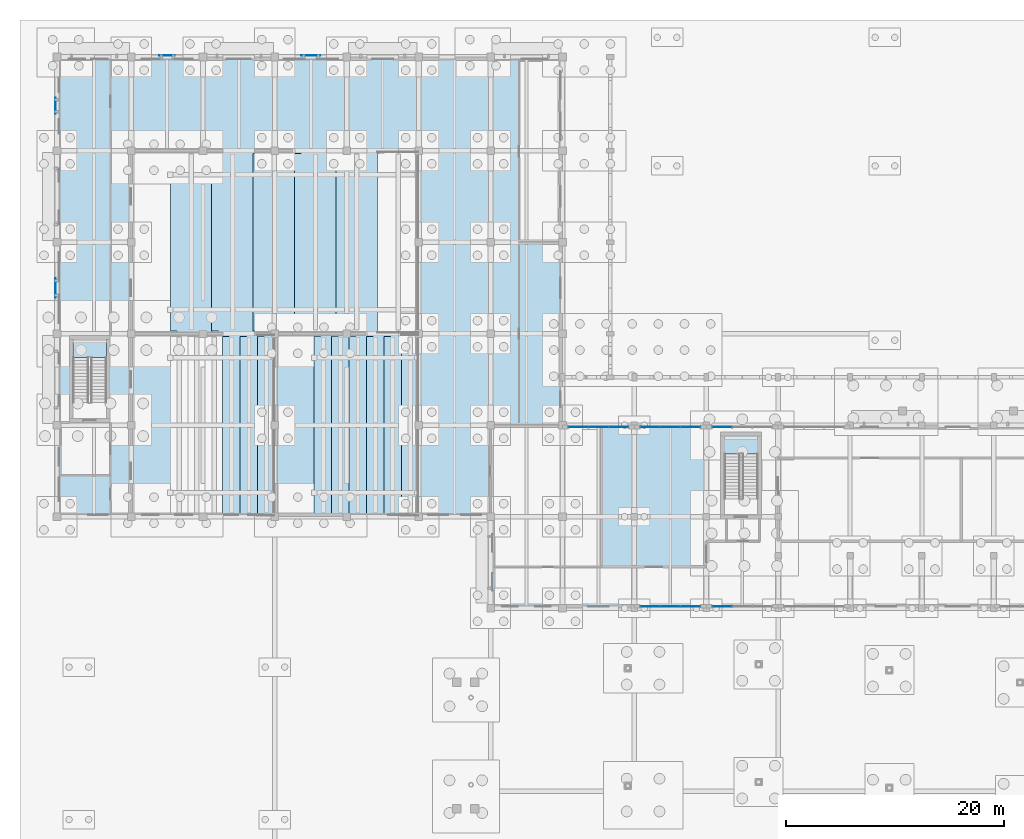
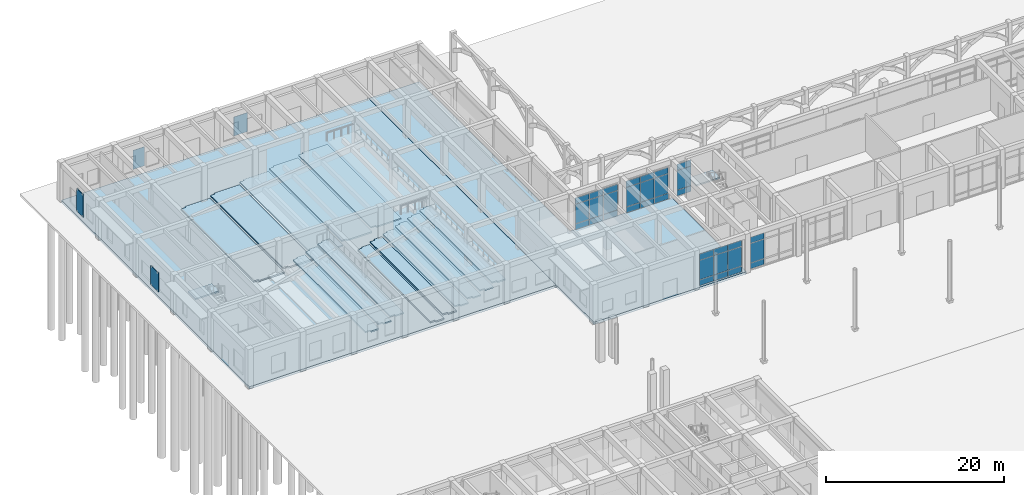
# One storey, part 43 of 82: 37 plates, 18 slabs, 7 elements without a shape of their own.
"""IFC4 building model written with IfcOpenShell, lengths in metres."""

from ifc_helpers import new_model, si_unit, direction, frame, origin, origin_2d, place, context, subcontext, project, spatial, polyline, rectangle, outline, extrude, material, layer, layer_set, type_object, element, aggregate, save


model = new_model("IFC4")

# Units and contexts
model_context = context("Model", 3, precision=1e-05, world=origin(), true_north=direction((0.0, 1.0)))
body_context = subcontext(model_context, "Body", "Model", "MODEL_VIEW")
ifc_project = project(units=[si_unit("LENGTHUNIT", "METRE"), si_unit("AREAUNIT", "SQUARE_METRE"), si_unit("VOLUMEUNIT", "CUBIC_METRE"), si_unit("PLANEANGLEUNIT", "RADIAN"), si_unit("MASSUNIT", "GRAM", prefix="KILO")], contexts=[model_context])

# Site, building, storey
site_placement = place(None, origin())
site = spatial("IfcSite", under=ifc_project, at=site_placement, CompositionType="ELEMENT")
building_placement = place(site_placement, origin())
building = spatial("IfcBuilding", under=site, at=building_placement, Name="Kolvaren Faculty of Natural Sciences", CompositionType="ELEMENT")
storey_placement = place(building_placement, origin())
storey = spatial("IfcBuildingStorey", under=building, at=storey_placement, Name="L00", CompositionType="ELEMENT", Elevation=0.0)

# Curtain wall, plate
ifc_material_1 = material(Name="Thermally broken anodised aluminium framing", Category="aluminium")
ifc_layer_1 = layer(ifc_material_1, 0.179931640625)
ifc_layer_set_1 = layer_set([ifc_layer_1], Name="Thermally broken anodised aluminium framing")
curtain_wall_type_1 = type_object("IfcCurtainWallType", Name="AtriumCurtainWall_CW01", PredefinedType="NOTDEFINED", material=ifc_layer_set_1)
curtain_wall_1_placement = place(storey_placement, origin())
curtain_wall_1 = element("IfcCurtainWall", 1, at=curtain_wall_1_placement, inside=storey, type_object=curtain_wall_type_1, Name="L00 unitised curtain wall CW-01 (CW-L00-005)", PredefinedType="NOTDEFINED")
ifc_material_2 = material(Name="Double low-E solar control insulated glazing", Category="glass")
ifc_layer_2 = layer(ifc_material_2, 0.035888671875)
ifc_layer_set_2 = layer_set([ifc_layer_2], Name="Double low-E solar control insulated glazing")
plate_type_1 = type_object("IfcPlateType", Name="EnvelopePlate_CWPGL1", PredefinedType="CURTAIN_PANEL", material=ifc_layer_set_2)
plate_1_placement = place(storey_placement, frame((61.066650390625, 67.570068359375, 0.919921875), z_axis=(0.0, 0.0, 1.0), x_axis=(-1.0, 0.0, 0.0)))
plate_1 = element("IfcPlate", 2, at=plate_1_placement, type_object=plate_type_1, Name="CW-L00-005 panel 3 V1", PredefinedType="CURTAIN_PANEL", context=body_context, shape_type="SweptSolid", body=[
    extrude(rectangle(XDim=1.783203125, YDim=0.035888671875, at=origin_2d()), origin(), (0.0, 0.0, 1.0), 2.64501953125),
])

# Curtain wall, plates
ifc_layer_3 = layer(ifc_material_1, 0.179931640625)
ifc_layer_set_3 = layer_set([ifc_layer_3], Name="Thermally broken anodised aluminium framing")
curtain_wall_type_2 = type_object("IfcCurtainWallType", Name="CommonsCurtainWall_CW02", PredefinedType="NOTDEFINED", material=ifc_layer_set_3)
curtain_wall_2_placement = place(storey_placement, origin())
curtain_wall_2 = element("IfcCurtainWall", 3, at=curtain_wall_2_placement, inside=storey, type_object=curtain_wall_type_2, Name="L00 unitised curtain wall CW-02 (CW-L00-006)", PredefinedType="NOTDEFINED")
plate_2_placement = place(storey_placement, frame((58.13330078125, 67.570068359375, 0.919921875), z_axis=(0.0, 0.0, 1.0), x_axis=(-1.0, 0.0, 0.0)))
plate_2 = element("IfcPlate", 4, at=plate_2_placement, type_object=plate_type_1, Name="CW-L00-006 panel 1 V1", PredefinedType="CURTAIN_PANEL", context=body_context, shape_type="SweptSolid", body=[
    extrude(rectangle(XDim=1.783203125, YDim=0.035888671875, at=origin_2d()), origin(), (0.0, 0.0, 1.0), 2.64501953125),
])
plate_3_placement = place(storey_placement, frame((56.300048828125, 67.570068359375, 0.919921875), z_axis=(0.0, 0.0, 1.0), x_axis=(-1.0, 0.0, 0.0)))
plate_3 = element("IfcPlate", 5, at=plate_3_placement, type_object=plate_type_1, Name="CW-L00-006 panel 2 V1", PredefinedType="CURTAIN_PANEL", context=body_context, shape_type="SweptSolid", body=[
    extrude(rectangle(XDim=1.783203125, YDim=0.035888671875, at=origin_2d()), origin(), (0.0, 0.0, 1.0), 2.64501953125),
])
plate_4_placement = place(storey_placement, frame((54.466796875, 67.570068359375, 0.919921875), z_axis=(0.0, 0.0, 1.0), x_axis=(-1.0, 0.0, 0.0)))
plate_4 = element("IfcPlate", 6, at=plate_4_placement, type_object=plate_type_1, Name="CW-L00-006 panel 3 V1", PredefinedType="CURTAIN_PANEL", context=body_context, shape_type="SweptSolid", body=[
    extrude(rectangle(XDim=1.783203125, YDim=0.035888671875, at=origin_2d()), origin(), (0.0, 0.0, 1.0), 2.64501953125),
])

curtain_wall_3_placement = place(storey_placement, origin())
curtain_wall_3 = element("IfcCurtainWall", 7, at=curtain_wall_3_placement, inside=storey, type_object=curtain_wall_type_2, Name="L00 unitised curtain wall CW-02 (CW-L00-007)", PredefinedType="NOTDEFINED")
plate_5_placement = place(storey_placement, frame((47.86669921875, 84.030029296875, 0.919921875), z_axis=(0.0, 0.0, 1.0), x_axis=(1.0, 0.0, 0.0)))
plate_5 = element("IfcPlate", 8, at=plate_5_placement, type_object=plate_type_1, Name="CW-L00-007 panel 1 V1", PredefinedType="CURTAIN_PANEL", context=body_context, shape_type="SweptSolid", body=[
    extrude(rectangle(XDim=1.783203125, YDim=0.035888671875, at=origin_2d()), origin(), (0.0, 0.0, 1.0), 2.64501953125),
])
plate_6_placement = place(storey_placement, frame((49.699951171875, 84.030029296875, 0.919921875), z_axis=(0.0, 0.0, 1.0), x_axis=(1.0, 0.0, 0.0)))
plate_6 = element("IfcPlate", 9, at=plate_6_placement, type_object=plate_type_1, Name="CW-L00-007 panel 2 V1", PredefinedType="CURTAIN_PANEL", context=body_context, shape_type="SweptSolid", body=[
    extrude(rectangle(XDim=1.783203125, YDim=0.035888671875, at=origin_2d()), origin(), (0.0, 0.0, 1.0), 2.64501953125),
])
plate_7_placement = place(storey_placement, frame((51.533203125, 84.030029296875, 0.919921875), z_axis=(0.0, 0.0, 1.0), x_axis=(1.0, 0.0, 0.0)))
plate_7 = element("IfcPlate", 10, at=plate_7_placement, type_object=plate_type_1, Name="CW-L00-007 panel 3 V1", PredefinedType="CURTAIN_PANEL", context=body_context, shape_type="SweptSolid", body=[
    extrude(rectangle(XDim=1.783203125, YDim=0.035888671875, at=origin_2d()), origin(), (0.0, 0.0, 1.0), 2.64501953125),
])

curtain_wall_4_placement = place(storey_placement, origin())
curtain_wall_4 = element("IfcCurtainWall", 11, at=curtain_wall_4_placement, inside=storey, type_object=curtain_wall_type_2, Name="L00 unitised curtain wall CW-02 (CW-L00-008)", PredefinedType="NOTDEFINED")
plate_8_placement = place(storey_placement, frame((54.466796875, 84.030029296875, 0.919921875), z_axis=(0.0, 0.0, 1.0), x_axis=(1.0, 0.0, 0.0)))
plate_8 = element("IfcPlate", 12, at=plate_8_placement, type_object=plate_type_1, Name="CW-L00-008 panel 1 V1", PredefinedType="CURTAIN_PANEL", context=body_context, shape_type="SweptSolid", body=[
    extrude(rectangle(XDim=1.783203125, YDim=0.035888671875, at=origin_2d()), origin(), (0.0, 0.0, 1.0), 2.64501953125),
])
plate_9_placement = place(storey_placement, frame((56.300048828125, 84.030029296875, 0.919921875), z_axis=(0.0, 0.0, 1.0), x_axis=(1.0, 0.0, 0.0)))
plate_9 = element("IfcPlate", 13, at=plate_9_placement, type_object=plate_type_1, Name="CW-L00-008 panel 2 V1", PredefinedType="CURTAIN_PANEL", context=body_context, shape_type="SweptSolid", body=[
    extrude(rectangle(XDim=1.783203125, YDim=0.035888671875, at=origin_2d()), origin(), (0.0, 0.0, 1.0), 2.64501953125),
])
plate_10_placement = place(storey_placement, frame((58.13330078125, 84.030029296875, 0.919921875), z_axis=(0.0, 0.0, 1.0), x_axis=(1.0, 0.0, 0.0)))
plate_10 = element("IfcPlate", 14, at=plate_10_placement, type_object=plate_type_1, Name="CW-L00-008 panel 3 V1", PredefinedType="CURTAIN_PANEL", context=body_context, shape_type="SweptSolid", body=[
    extrude(rectangle(XDim=1.783203125, YDim=0.035888671875, at=origin_2d()), origin(), (0.0, 0.0, 1.0), 2.64501953125),
])

# Curtain wall, plate
curtain_wall_5_placement = place(storey_placement, origin())
curtain_wall_5 = element("IfcCurtainWall", 15, at=curtain_wall_5_placement, inside=storey, type_object=curtain_wall_type_1, Name="L00 unitised curtain wall CW-01 (CW-L00-009)", PredefinedType="NOTDEFINED")
plate_11_placement = place(storey_placement, frame((61.066650390625, 84.030029296875, 0.919921875), z_axis=(0.0, 0.0, 1.0), x_axis=(1.0, 0.0, 0.0)))
plate_11 = element("IfcPlate", 16, at=plate_11_placement, type_object=plate_type_1, Name="CW-L00-009 panel 1 V1", PredefinedType="CURTAIN_PANEL", context=body_context, shape_type="SweptSolid", body=[
    extrude(rectangle(XDim=1.783203125, YDim=0.035888671875, at=origin_2d()), origin(), (0.0, 0.0, 1.0), 2.64501953125),
])

# Plate
ifc_layer_4 = layer(ifc_material_2, 0.035888671875)
ifc_layer_set_4 = layer_set([ifc_layer_4], Name="Double low-E solar control insulated glazing")
plate_type_2 = type_object("IfcPlateType", Name="EnvelopePlate_CWPGL2", PredefinedType="CURTAIN_PANEL", material=ifc_layer_set_4)
plate_12_placement = place(storey_placement, frame((61.066650390625, 67.570068359375, 3.60498046875), z_axis=(0.0, 0.0, 1.0), x_axis=(-1.0, 0.0, 0.0)))
plate_12 = element("IfcPlate", 17, at=plate_12_placement, type_object=plate_type_2, Name="CW-L00-005 panel 3 V2", PredefinedType="CURTAIN_PANEL", context=body_context, shape_type="SweptSolid", body=[
    extrude(rectangle(XDim=1.783203125, YDim=0.035888671875, at=origin_2d()), origin(), (0.0, 0.0, 1.0), 0.830078125),
])

plate_13_placement = place(storey_placement, frame((58.13330078125, 67.570068359375, 3.60498046875), z_axis=(0.0, 0.0, 1.0), x_axis=(-1.0, 0.0, 0.0)))
plate_13 = element("IfcPlate", 18, at=plate_13_placement, type_object=plate_type_2, Name="CW-L00-006 panel 1 V2", PredefinedType="CURTAIN_PANEL", context=body_context, shape_type="SweptSolid", body=[
    extrude(rectangle(XDim=1.783203125, YDim=0.035888671875, at=origin_2d()), origin(), (0.0, 0.0, 1.0), 0.830078125),
])

plate_14_placement = place(storey_placement, frame((56.300048828125, 67.570068359375, 3.60498046875), z_axis=(0.0, 0.0, 1.0), x_axis=(-1.0, 0.0, 0.0)))
plate_14 = element("IfcPlate", 19, at=plate_14_placement, type_object=plate_type_2, Name="CW-L00-006 panel 2 V2", PredefinedType="CURTAIN_PANEL", context=body_context, shape_type="SweptSolid", body=[
    extrude(rectangle(XDim=1.783203125, YDim=0.035888671875, at=origin_2d()), origin(), (0.0, 0.0, 1.0), 0.830078125),
])

plate_15_placement = place(storey_placement, frame((54.466796875, 67.570068359375, 3.60498046875), z_axis=(0.0, 0.0, 1.0), x_axis=(-1.0, 0.0, 0.0)))
plate_15 = element("IfcPlate", 20, at=plate_15_placement, type_object=plate_type_2, Name="CW-L00-006 panel 3 V2", PredefinedType="CURTAIN_PANEL", context=body_context, shape_type="SweptSolid", body=[
    extrude(rectangle(XDim=1.783203125, YDim=0.035888671875, at=origin_2d()), origin(), (0.0, 0.0, 1.0), 0.830078125),
])

plate_16_placement = place(storey_placement, frame((47.86669921875, 84.030029296875, 3.60498046875), z_axis=(0.0, 0.0, 1.0), x_axis=(1.0, 0.0, 0.0)))
plate_16 = element("IfcPlate", 21, at=plate_16_placement, type_object=plate_type_2, Name="CW-L00-007 panel 1 V2", PredefinedType="CURTAIN_PANEL", context=body_context, shape_type="SweptSolid", body=[
    extrude(rectangle(XDim=1.783203125, YDim=0.035888671875, at=origin_2d()), origin(), (0.0, 0.0, 1.0), 0.830078125),
])

plate_17_placement = place(storey_placement, frame((49.699951171875, 84.030029296875, 3.60498046875), z_axis=(0.0, 0.0, 1.0), x_axis=(1.0, 0.0, 0.0)))
plate_17 = element("IfcPlate", 22, at=plate_17_placement, type_object=plate_type_2, Name="CW-L00-007 panel 2 V2", PredefinedType="CURTAIN_PANEL", context=body_context, shape_type="SweptSolid", body=[
    extrude(rectangle(XDim=1.783203125, YDim=0.035888671875, at=origin_2d()), origin(), (0.0, 0.0, 1.0), 0.830078125),
])

plate_18_placement = place(storey_placement, frame((51.533203125, 84.030029296875, 3.60498046875), z_axis=(0.0, 0.0, 1.0), x_axis=(1.0, 0.0, 0.0)))
plate_18 = element("IfcPlate", 23, at=plate_18_placement, type_object=plate_type_2, Name="CW-L00-007 panel 3 V2", PredefinedType="CURTAIN_PANEL", context=body_context, shape_type="SweptSolid", body=[
    extrude(rectangle(XDim=1.783203125, YDim=0.035888671875, at=origin_2d()), origin(), (0.0, 0.0, 1.0), 0.830078125),
])

plate_19_placement = place(storey_placement, frame((54.466796875, 84.030029296875, 3.60498046875), z_axis=(0.0, 0.0, 1.0), x_axis=(1.0, 0.0, 0.0)))
plate_19 = element("IfcPlate", 24, at=plate_19_placement, type_object=plate_type_2, Name="CW-L00-008 panel 1 V2", PredefinedType="CURTAIN_PANEL", context=body_context, shape_type="SweptSolid", body=[
    extrude(rectangle(XDim=1.783203125, YDim=0.035888671875, at=origin_2d()), origin(), (0.0, 0.0, 1.0), 0.830078125),
])

plate_20_placement = place(storey_placement, frame((56.300048828125, 84.030029296875, 3.60498046875), z_axis=(0.0, 0.0, 1.0), x_axis=(1.0, 0.0, 0.0)))
plate_20 = element("IfcPlate", 25, at=plate_20_placement, type_object=plate_type_2, Name="CW-L00-008 panel 2 V2", PredefinedType="CURTAIN_PANEL", context=body_context, shape_type="SweptSolid", body=[
    extrude(rectangle(XDim=1.783203125, YDim=0.035888671875, at=origin_2d()), origin(), (0.0, 0.0, 1.0), 0.830078125),
])

plate_21_placement = place(storey_placement, frame((58.13330078125, 84.030029296875, 3.60498046875), z_axis=(0.0, 0.0, 1.0), x_axis=(1.0, 0.0, 0.0)))
plate_21 = element("IfcPlate", 26, at=plate_21_placement, type_object=plate_type_2, Name="CW-L00-008 panel 3 V2", PredefinedType="CURTAIN_PANEL", context=body_context, shape_type="SweptSolid", body=[
    extrude(rectangle(XDim=1.783203125, YDim=0.035888671875, at=origin_2d()), origin(), (0.0, 0.0, 1.0), 0.830078125),
])

plate_22_placement = place(storey_placement, frame((61.066650390625, 84.030029296875, 3.60498046875), z_axis=(0.0, 0.0, 1.0), x_axis=(1.0, 0.0, 0.0)))
plate_22 = element("IfcPlate", 27, at=plate_22_placement, type_object=plate_type_2, Name="CW-L00-009 panel 1 V2", PredefinedType="CURTAIN_PANEL", context=body_context, shape_type="SweptSolid", body=[
    extrude(rectangle(XDim=1.783203125, YDim=0.035888671875, at=origin_2d()), origin(), (0.0, 0.0, 1.0), 0.830078125),
])

ifc_material_3 = material(Name="Insulated anodised aluminium spandrel panel", Category="aluminium")
ifc_layer_5 = layer(ifc_material_3, 0.050048828125)
ifc_layer_set_5 = layer_set([ifc_layer_5], Name="Insulated anodised aluminium spandrel panel")
plate_type_3 = type_object("IfcPlateType", Name="EnvelopePlate_CWPSP1", PredefinedType="SHEET", material=ifc_layer_set_5)
plate_23_placement = place(storey_placement, frame((61.066650390625, 67.570068359375, 0.10009765625), z_axis=(0.0, 0.0, 1.0), x_axis=(-1.0, 0.0, 0.0)))
plate_23 = element("IfcPlate", 28, at=plate_23_placement, type_object=plate_type_3, Name="CW-L00-005 panel 3 SP", PredefinedType="SHEET", context=body_context, shape_type="SweptSolid", body=[
    extrude(rectangle(XDim=1.783203125, YDim=0.050048828125, at=origin_2d()), origin(), (0.0, 0.0, 1.0), 0.780029296875),
])

aggregate(curtain_wall_1, [plate_23, plate_1, plate_12])

plate_24_placement = place(storey_placement, frame((58.13330078125, 67.570068359375, 0.10009765625), z_axis=(0.0, 0.0, 1.0), x_axis=(-1.0, 0.0, 0.0)))
plate_24 = element("IfcPlate", 29, at=plate_24_placement, type_object=plate_type_3, Name="CW-L00-006 panel 1 SP", PredefinedType="SHEET", context=body_context, shape_type="SweptSolid", body=[
    extrude(rectangle(XDim=1.783203125, YDim=0.050048828125, at=origin_2d()), origin(), (0.0, 0.0, 1.0), 0.780029296875),
])

plate_25_placement = place(storey_placement, frame((56.300048828125, 67.570068359375, 0.10009765625), z_axis=(0.0, 0.0, 1.0), x_axis=(-1.0, 0.0, 0.0)))
plate_25 = element("IfcPlate", 30, at=plate_25_placement, type_object=plate_type_3, Name="CW-L00-006 panel 2 SP", PredefinedType="SHEET", context=body_context, shape_type="SweptSolid", body=[
    extrude(rectangle(XDim=1.783203125, YDim=0.050048828125, at=origin_2d()), origin(), (0.0, 0.0, 1.0), 0.780029296875),
])

plate_26_placement = place(storey_placement, frame((54.466796875, 67.570068359375, 0.10009765625), z_axis=(0.0, 0.0, 1.0), x_axis=(-1.0, 0.0, 0.0)))
plate_26 = element("IfcPlate", 31, at=plate_26_placement, type_object=plate_type_3, Name="CW-L00-006 panel 3 SP", PredefinedType="SHEET", context=body_context, shape_type="SweptSolid", body=[
    extrude(rectangle(XDim=1.783203125, YDim=0.050048828125, at=origin_2d()), origin(), (0.0, 0.0, 1.0), 0.780029296875),
])

aggregate(curtain_wall_2, [plate_24, plate_2, plate_13, plate_25, plate_3, plate_14, plate_26, plate_4, plate_15])

plate_27_placement = place(storey_placement, frame((47.86669921875, 84.030029296875, 0.10009765625), z_axis=(0.0, 0.0, 1.0), x_axis=(1.0, 0.0, 0.0)))
plate_27 = element("IfcPlate", 32, at=plate_27_placement, type_object=plate_type_3, Name="CW-L00-007 panel 1 SP", PredefinedType="SHEET", context=body_context, shape_type="SweptSolid", body=[
    extrude(rectangle(XDim=1.783203125, YDim=0.050048828125, at=origin_2d()), origin(), (0.0, 0.0, 1.0), 0.780029296875),
])

plate_28_placement = place(storey_placement, frame((49.699951171875, 84.030029296875, 0.10009765625), z_axis=(0.0, 0.0, 1.0), x_axis=(1.0, 0.0, 0.0)))
plate_28 = element("IfcPlate", 33, at=plate_28_placement, type_object=plate_type_3, Name="CW-L00-007 panel 2 SP", PredefinedType="SHEET", context=body_context, shape_type="SweptSolid", body=[
    extrude(rectangle(XDim=1.783203125, YDim=0.050048828125, at=origin_2d()), origin(), (0.0, 0.0, 1.0), 0.780029296875),
])

plate_29_placement = place(storey_placement, frame((51.533203125, 84.030029296875, 0.10009765625), z_axis=(0.0, 0.0, 1.0), x_axis=(1.0, 0.0, 0.0)))
plate_29 = element("IfcPlate", 34, at=plate_29_placement, type_object=plate_type_3, Name="CW-L00-007 panel 3 SP", PredefinedType="SHEET", context=body_context, shape_type="SweptSolid", body=[
    extrude(rectangle(XDim=1.783203125, YDim=0.050048828125, at=origin_2d()), origin(), (0.0, 0.0, 1.0), 0.780029296875),
])

aggregate(curtain_wall_3, [plate_27, plate_5, plate_16, plate_28, plate_6, plate_17, plate_29, plate_7, plate_18])

plate_30_placement = place(storey_placement, frame((54.466796875, 84.030029296875, 0.10009765625), z_axis=(0.0, 0.0, 1.0), x_axis=(1.0, 0.0, 0.0)))
plate_30 = element("IfcPlate", 35, at=plate_30_placement, type_object=plate_type_3, Name="CW-L00-008 panel 1 SP", PredefinedType="SHEET", context=body_context, shape_type="SweptSolid", body=[
    extrude(rectangle(XDim=1.783203125, YDim=0.050048828125, at=origin_2d()), origin(), (0.0, 0.0, 1.0), 0.780029296875),
])

plate_31_placement = place(storey_placement, frame((56.300048828125, 84.030029296875, 0.10009765625), z_axis=(0.0, 0.0, 1.0), x_axis=(1.0, 0.0, 0.0)))
plate_31 = element("IfcPlate", 36, at=plate_31_placement, type_object=plate_type_3, Name="CW-L00-008 panel 2 SP", PredefinedType="SHEET", context=body_context, shape_type="SweptSolid", body=[
    extrude(rectangle(XDim=1.783203125, YDim=0.050048828125, at=origin_2d()), origin(), (0.0, 0.0, 1.0), 0.780029296875),
])

plate_32_placement = place(storey_placement, frame((58.13330078125, 84.030029296875, 0.10009765625), z_axis=(0.0, 0.0, 1.0), x_axis=(1.0, 0.0, 0.0)))
plate_32 = element("IfcPlate", 37, at=plate_32_placement, type_object=plate_type_3, Name="CW-L00-008 panel 3 SP", PredefinedType="SHEET", context=body_context, shape_type="SweptSolid", body=[
    extrude(rectangle(XDim=1.783203125, YDim=0.050048828125, at=origin_2d()), origin(), (0.0, 0.0, 1.0), 0.780029296875),
])

aggregate(curtain_wall_4, [plate_30, plate_8, plate_19, plate_31, plate_9, plate_20, plate_32, plate_10, plate_21])

plate_33_placement = place(storey_placement, frame((61.066650390625, 84.030029296875, 0.10009765625), z_axis=(0.0, 0.0, 1.0), x_axis=(1.0, 0.0, 0.0)))
plate_33 = element("IfcPlate", 38, at=plate_33_placement, type_object=plate_type_3, Name="CW-L00-009 panel 1 SP", PredefinedType="SHEET", context=body_context, shape_type="SweptSolid", body=[
    extrude(rectangle(XDim=1.783203125, YDim=0.050048828125, at=origin_2d()), origin(), (0.0, 0.0, 1.0), 0.780029296875),
])

aggregate(curtain_wall_5, [plate_33, plate_11, plate_22])

# Plates
ifc_material_4 = material(Name="Extruded architectural terracotta screen", Category="masonry")
ifc_layer_6 = layer(ifc_material_4, 0.06494140625)
ifc_layer_set_6 = layer_set([ifc_layer_6], Name="Extruded architectural terracotta screen")
plate_type_4 = type_object("IfcPlateType", Name="EnvelopePlate_JL01", PredefinedType="USERDEFINED", material=ifc_layer_set_6)
plate_34_placement = place(storey_placement, frame((10.10009765625, 118.139892578125, 0.849853515625), z_axis=(0.0, 0.0, 1.0), x_axis=(1.0, 0.0, 0.0)))
element("IfcPlate", 39, at=plate_34_placement, inside=storey, type_object=plate_type_4, Name="L00 perforated terracotta jali sun screen JL-01", ObjectType="SCREEN", PredefinedType="USERDEFINED", context=body_context, shape_type="SweptSolid", body=[
    extrude(rectangle(XDim=1.449951171875, YDim=0.06494140625, at=origin_2d()), origin(), (0.0, 0.0, 1.0), 2.60009765625),
])
ifc_layer_7 = layer(ifc_material_4, 0.06494140625)
ifc_layer_set_7 = layer_set([ifc_layer_7], Name="Extruded architectural terracotta screen")
plate_type_5 = type_object("IfcPlateType", Name="EnvelopePlate_JL02", PredefinedType="USERDEFINED", material=ifc_layer_set_7)
for number, where, z_axis, x_axis, name in (
    (40, (-0.139892578125, 96.800048828125, 0.849853515625), (0.0, 0.0, 1.0), (0.0, 1.0, 0.0), "L00 perforated terracotta jali sun screen JL-02"),
    (41, (23.300048828125, 118.139892578125, 0.849853515625), (0.0, 0.0, 1.0), (1.0, 0.0, 0.0), "L00 perforated terracotta jali sun screen JL-02"),
):
    element("IfcPlate", number, at=place(storey_placement, frame(where, z_axis=z_axis, x_axis=x_axis)), inside=storey, type_object=plate_type_5, Name=name, ObjectType="SCREEN", PredefinedType="USERDEFINED", context=body_context, shape_type="SweptSolid", body=[
        extrude(rectangle(XDim=1.75, YDim=0.06494140625, at=origin_2d()), origin(), (0.0, 0.0, 1.0), 2.60009765625),
    ])
ifc_layer_8 = layer(ifc_material_4, 0.06494140625)
ifc_layer_set_8 = layer_set([ifc_layer_8], Name="Extruded architectural terracotta screen")
plate_type_6 = type_object("IfcPlateType", Name="EnvelopePlate_JL03", PredefinedType="USERDEFINED", material=ifc_layer_set_8)
plate_35_placement = place(storey_placement, frame((-0.139892578125, 113.530029296875, 0.849853515625), z_axis=(0.0, 0.0, 1.0), x_axis=(0.0, 1.0, 0.0)))
element("IfcPlate", 42, at=plate_35_placement, inside=storey, type_object=plate_type_6, Name="L00 perforated terracotta jali sun screen JL-03", ObjectType="SCREEN", PredefinedType="USERDEFINED", context=body_context, shape_type="SweptSolid", body=[
    extrude(rectangle(XDim=1.449951171875, YDim=0.06494140625, at=origin_2d()), origin(), (0.0, 0.0, 1.0), 3.10009765625),
])

# Slabs
ifc_material_5 = material(Name="Concrete C35/45", Category="concrete")
ifc_layer_9 = layer(ifc_material_5, 0.320068359375)
ifc_layer_set_9 = layer_set([ifc_layer_9], Name="Concrete C35/45")
slab_type_1 = type_object("IfcSlabType", Name="GroundSlab_320", PredefinedType="FLOOR", material=ifc_layer_set_9)
slab_1_placement = place(storey_placement, frame((0.0, 0.0, -0.320068359375)))
element("IfcSlab", 43, at=slab_1_placement, inside=storey, type_object=slab_type_1, Name="L00 V1 structural slab 1", PredefinedType="FLOOR", context=body_context, shape_type="SweptSolid", body=[
    extrude(outline(polyline([(0.0, 75.800048828125), (0.0, 118.0), (39.800048828125, 118.0), (39.800048828125, 75.800048828125), (0.0, 75.800048828125)])), origin(), (0.0, 0.0, 1.0), 0.320068359375),
])
slab_2_placement = place(storey_placement, frame((0.0, 0.0, -0.320068359375)))
element("IfcSlab", 44, at=slab_2_placement, inside=storey, type_object=slab_type_1, Name="L00 V2 structural slab 1", PredefinedType="FLOOR", context=body_context, shape_type="SweptSolid", body=[
    extrude(outline(polyline([(39.800048828125, 118.0), (46.39990234375, 118.0), (46.39990234375, 84.199951171875), (59.60009765625, 84.199951171875), (59.60009765625, 67.39990234375), (39.800048828125, 67.39990234375), (39.800048828125, 84.199951171875), (39.800048828125, 118.0)])), origin(), (0.0, 0.0, 1.0), 0.320068359375),
])
ifc_layer_10 = layer(ifc_material_5, 0.179931640625)
ifc_layer_set_10 = layer_set([ifc_layer_10], Name="Concrete C35/45")
slab_type_2 = type_object("IfcSlabType", Name="SeatingTierSlab_180", PredefinedType="USERDEFINED", material=ifc_layer_set_10)
slab_3_placement = place(storey_placement, frame((0.0, 0.0, 0.340087890625)))
element("IfcSlab", 45, at=slab_3_placement, inside=storey, type_object=slab_type_2, Name="Stand LT-1 seating tier row 1", ObjectType="SEATING TIER", PredefinedType="USERDEFINED", context=body_context, shape_type="SweptSolid", body=[
    extrude(outline(polyline([(10.39990234375, 92.85009765625), (11.0, 92.85009765625), (11.0, 92.64990234375), (14.25, 92.64990234375), (14.25, 109.35009765625), (11.0, 109.35009765625), (11.0, 109.14990234375), (10.39990234375, 109.14990234375), (10.39990234375, 92.85009765625)])), origin(), (0.0, 0.0, 1.0), 0.179931640625),
])
slab_4_placement = place(storey_placement, frame((0.0, 0.0, 1.3798828125)))
element("IfcSlab", 46, at=slab_4_placement, inside=storey, type_object=slab_type_2, Name="Stand LT-1 seating tier row 3", ObjectType="SEATING TIER", PredefinedType="USERDEFINED", context=body_context, shape_type="SweptSolid", body=[
    extrude(outline(polyline([(18.0, 92.85009765625), (18.60009765625, 92.85009765625), (18.60009765625, 92.64990234375), (21.85009765625, 92.64990234375), (21.85009765625, 109.35009765625), (18.60009765625, 109.35009765625), (18.60009765625, 109.14990234375), (18.0, 109.14990234375), (18.0, 92.85009765625)])), origin(), (0.0, 0.0, 1.0), 0.18017578125),
])
slab_5_placement = place(storey_placement, frame((0.0, 0.0, 2.419921875)))
element("IfcSlab", 47, at=slab_5_placement, inside=storey, type_object=slab_type_2, Name="Stand LT-1 seating tier row 5", ObjectType="SEATING TIER", PredefinedType="USERDEFINED", context=body_context, shape_type="SweptSolid", body=[
    extrude(outline(polyline([(25.60009765625, 92.85009765625), (26.199951171875, 92.85009765625), (26.199951171875, 92.64990234375), (29.449951171875, 92.64990234375), (29.449951171875, 109.35009765625), (26.199951171875, 109.35009765625), (26.199951171875, 109.14990234375), (25.60009765625, 109.14990234375), (25.60009765625, 92.85009765625)])), origin(), (0.0, 0.0, 1.0), 0.18017578125),
])
slab_6_placement = place(storey_placement, frame((0.0, 0.0, 2.419921875)))
element("IfcSlab", 48, at=slab_6_placement, inside=storey, type_object=slab_type_2, Name="Stand LT-2 seating tier row 5", ObjectType="SEATING TIER", PredefinedType="USERDEFINED", context=body_context, shape_type="SweptSolid", body=[
    extrude(outline(polyline([(16.800048828125, 76.050048828125), (17.39990234375, 76.050048828125), (17.39990234375, 75.85009765625), (18.449951171875, 75.85009765625), (18.449951171875, 92.550048828125), (17.39990234375, 92.550048828125), (17.39990234375, 92.35009765625), (16.800048828125, 92.35009765625), (16.800048828125, 76.050048828125)])), origin(), (0.0, 0.0, 1.0), 0.18017578125),
])
slab_7_placement = place(storey_placement, frame((0.0, 0.0, 0.340087890625)))
element("IfcSlab", 49, at=slab_7_placement, inside=storey, type_object=slab_type_2, Name="Stand LT-3 seating tier row 1", ObjectType="SEATING TIER", PredefinedType="USERDEFINED", context=body_context, shape_type="SweptSolid", body=[
    extrude(outline(polyline([(23.60009765625, 76.050048828125), (24.199951171875, 76.050048828125), (24.199951171875, 75.85009765625), (25.25, 75.85009765625), (25.25, 92.550048828125), (24.199951171875, 92.550048828125), (24.199951171875, 92.35009765625), (23.60009765625, 92.35009765625), (23.60009765625, 76.050048828125)])), origin(), (0.0, 0.0, 1.0), 0.179931640625),
])
slab_8_placement = place(storey_placement, frame((0.0, 0.0, 1.3798828125)))
element("IfcSlab", 50, at=slab_8_placement, inside=storey, type_object=slab_type_2, Name="Stand LT-3 seating tier row 3", ObjectType="SEATING TIER", PredefinedType="USERDEFINED", context=body_context, shape_type="SweptSolid", body=[
    extrude(outline(polyline([(26.800048828125, 76.050048828125), (27.39990234375, 76.050048828125), (27.39990234375, 75.85009765625), (28.449951171875, 75.85009765625), (28.449951171875, 92.550048828125), (27.39990234375, 92.550048828125), (27.39990234375, 92.35009765625), (26.800048828125, 92.35009765625), (26.800048828125, 76.050048828125)])), origin(), (0.0, 0.0, 1.0), 0.18017578125),
])
slab_9_placement = place(storey_placement, frame((0.0, 0.0, 2.419921875)))
element("IfcSlab", 51, at=slab_9_placement, inside=storey, type_object=slab_type_2, Name="Stand LT-3 seating tier row 5", ObjectType="SEATING TIER", PredefinedType="USERDEFINED", context=body_context, shape_type="SweptSolid", body=[
    extrude(outline(polyline([(30.0, 76.050048828125), (30.60009765625, 76.050048828125), (30.60009765625, 75.85009765625), (31.64990234375, 75.85009765625), (31.64990234375, 92.550048828125), (30.60009765625, 92.550048828125), (30.60009765625, 92.35009765625), (30.0, 92.35009765625), (30.0, 76.050048828125)])), origin(), (0.0, 0.0, 1.0), 0.18017578125),
])
ifc_layer_11 = layer(ifc_material_5, 0.18994140625)
ifc_layer_set_11 = layer_set([ifc_layer_11], Name="Concrete C35/45")
slab_type_3 = type_object("IfcSlabType", Name="SeatingTierSlab_190", PredefinedType="USERDEFINED", material=ifc_layer_set_11)
slab_10_placement = place(storey_placement, frame((0.0, 0.0, 0.85009765625)))
element("IfcSlab", 52, at=slab_10_placement, inside=storey, type_object=slab_type_3, Name="Stand LT-1 seating tier row 2", ObjectType="SEATING TIER", PredefinedType="USERDEFINED", context=body_context, shape_type="SweptSolid", body=[
    extrude(outline(polyline([(14.199951171875, 92.85009765625), (14.800048828125, 92.85009765625), (14.800048828125, 92.64990234375), (18.050048828125, 92.64990234375), (18.050048828125, 109.35009765625), (14.800048828125, 109.35009765625), (14.800048828125, 109.14990234375), (14.199951171875, 109.14990234375), (14.199951171875, 92.85009765625)])), origin(), (0.0, 0.0, 1.0), 0.18994140625),
])
slab_11_placement = place(storey_placement, frame((0.0, 0.0, 1.889892578125)))
element("IfcSlab", 53, at=slab_11_placement, inside=storey, type_object=slab_type_3, Name="Stand LT-1 seating tier row 4", ObjectType="SEATING TIER", PredefinedType="USERDEFINED", context=body_context, shape_type="SweptSolid", body=[
    extrude(outline(polyline([(21.800048828125, 92.85009765625), (22.39990234375, 92.85009765625), (22.39990234375, 92.64990234375), (25.64990234375, 92.64990234375), (25.64990234375, 109.35009765625), (22.39990234375, 109.35009765625), (22.39990234375, 109.14990234375), (21.800048828125, 109.14990234375), (21.800048828125, 92.85009765625)])), origin(), (0.0, 0.0, 1.0), 0.190185546875),
])
slab_12_placement = place(storey_placement, frame((0.0, 0.0, 1.889892578125)))
element("IfcSlab", 54, at=slab_12_placement, inside=storey, type_object=slab_type_3, Name="Stand LT-2 seating tier row 4", ObjectType="SEATING TIER", PredefinedType="USERDEFINED", context=body_context, shape_type="SweptSolid", body=[
    extrude(outline(polyline([(15.199951171875, 76.050048828125), (15.800048828125, 76.050048828125), (15.800048828125, 75.85009765625), (16.85009765625, 75.85009765625), (16.85009765625, 92.550048828125), (15.800048828125, 92.550048828125), (15.800048828125, 92.35009765625), (15.199951171875, 92.35009765625), (15.199951171875, 76.050048828125)])), origin(), (0.0, 0.0, 1.0), 0.190185546875),
])
slab_13_placement = place(storey_placement, frame((0.0, 0.0, 2.929931640625)))
element("IfcSlab", 55, at=slab_13_placement, inside=storey, type_object=slab_type_3, Name="Stand LT-2 seating tier row 6", ObjectType="SEATING TIER", PredefinedType="USERDEFINED", context=body_context, shape_type="SweptSolid", body=[
    extrude(outline(polyline([(18.39990234375, 76.050048828125), (19.0, 76.050048828125), (19.0, 75.85009765625), (20.050048828125, 75.85009765625), (20.050048828125, 92.550048828125), (19.0, 92.550048828125), (19.0, 92.35009765625), (18.39990234375, 92.35009765625), (18.39990234375, 76.050048828125)])), origin(), (0.0, 0.0, 1.0), 0.190185546875),
])
slab_14_placement = place(storey_placement, frame((0.0, 0.0, 0.85009765625)))
element("IfcSlab", 56, at=slab_14_placement, inside=storey, type_object=slab_type_3, Name="Stand LT-3 seating tier row 2", ObjectType="SEATING TIER", PredefinedType="USERDEFINED", context=body_context, shape_type="SweptSolid", body=[
    extrude(outline(polyline([(25.199951171875, 76.050048828125), (25.800048828125, 76.050048828125), (25.800048828125, 75.85009765625), (26.85009765625, 75.85009765625), (26.85009765625, 92.550048828125), (25.800048828125, 92.550048828125), (25.800048828125, 92.35009765625), (25.199951171875, 92.35009765625), (25.199951171875, 76.050048828125)])), origin(), (0.0, 0.0, 1.0), 0.18994140625),
])
slab_15_placement = place(storey_placement, frame((0.0, 0.0, 1.889892578125)))
element("IfcSlab", 57, at=slab_15_placement, inside=storey, type_object=slab_type_3, Name="Stand LT-3 seating tier row 4", ObjectType="SEATING TIER", PredefinedType="USERDEFINED", context=body_context, shape_type="SweptSolid", body=[
    extrude(outline(polyline([(28.39990234375, 76.050048828125), (29.0, 76.050048828125), (29.0, 75.85009765625), (30.050048828125, 75.85009765625), (30.050048828125, 92.550048828125), (29.0, 92.550048828125), (29.0, 92.35009765625), (28.39990234375, 92.35009765625), (28.39990234375, 76.050048828125)])), origin(), (0.0, 0.0, 1.0), 0.190185546875),
])
slab_16_placement = place(storey_placement, frame((0.0, 0.0, 2.929931640625)))
element("IfcSlab", 58, at=slab_16_placement, inside=storey, type_object=slab_type_3, Name="Stand LT-3 seating tier row 6", ObjectType="SEATING TIER", PredefinedType="USERDEFINED", context=body_context, shape_type="SweptSolid", body=[
    extrude(outline(polyline([(31.60009765625, 76.050048828125), (32.199951171875, 76.050048828125), (32.199951171875, 75.85009765625), (33.25, 75.85009765625), (33.25, 92.550048828125), (32.199951171875, 92.550048828125), (32.199951171875, 92.35009765625), (31.60009765625, 92.35009765625), (31.60009765625, 76.050048828125)])), origin(), (0.0, 0.0, 1.0), 0.190185546875),
])

# Stair, slab
stair_type = type_object("IfcStairType", Name="DoglegStair_H5400", PredefinedType="HALF_TURN_STAIR", material=ifc_material_5)
stair_1_placement = place(storey_placement, origin())
stair_1 = element("IfcStair", 59, at=stair_1_placement, inside=storey, type_object=stair_type, Name="L00 Protected exit stair ST-5", PredefinedType="HALF_TURN_STAIR")
ifc_layer_12 = layer(ifc_material_5, 0.199951171875)
ifc_layer_set_12 = layer_set([ifc_layer_12], Name="Concrete C35/45")
slab_type_4 = type_object("IfcSlabType", Name="StairLandingSlab_200", PredefinedType="LANDING", material=ifc_layer_set_12)
slab_17_placement = place(storey_placement, frame((0.0, 0.0, 2.5)))
slab_17 = element("IfcSlab", 60, at=slab_17_placement, type_object=slab_type_4, Name="ST-5 landing 1", PredefinedType="LANDING", context=body_context, shape_type="SweptSolid", body=[
    extrude(outline(polyline([(4.550048828125, 90.429931640625), (4.550048828125, 92.10009765625), (1.449951171875, 92.10009765625), (1.449951171875, 90.429931640625), (4.550048828125, 90.429931640625)])), origin(), (0.0, 0.0, 1.0), 0.199951171875),
])
aggregate(stair_1, [slab_17])

stair_2_placement = place(storey_placement, origin())
stair_2 = element("IfcStair", 61, at=stair_2_placement, inside=storey, type_object=stair_type, Name="L00 Protected exit stair ST-6", PredefinedType="HALF_TURN_STAIR")
slab_18_placement = place(storey_placement, frame((0.0, 0.0, 2.5)))
slab_18 = element("IfcSlab", 62, at=slab_18_placement, type_object=slab_type_4, Name="ST-6 landing 1", PredefinedType="LANDING", context=body_context, shape_type="SweptSolid", body=[
    extrude(outline(polyline([(64.35009765625, 81.580078125), (64.35009765625, 83.25), (61.25, 83.25), (61.25, 81.580078125), (64.35009765625, 81.580078125)])), origin(), (0.0, 0.0, 1.0), 0.199951171875),
])
aggregate(stair_2, [slab_18])

save(model, "model.ifc")
